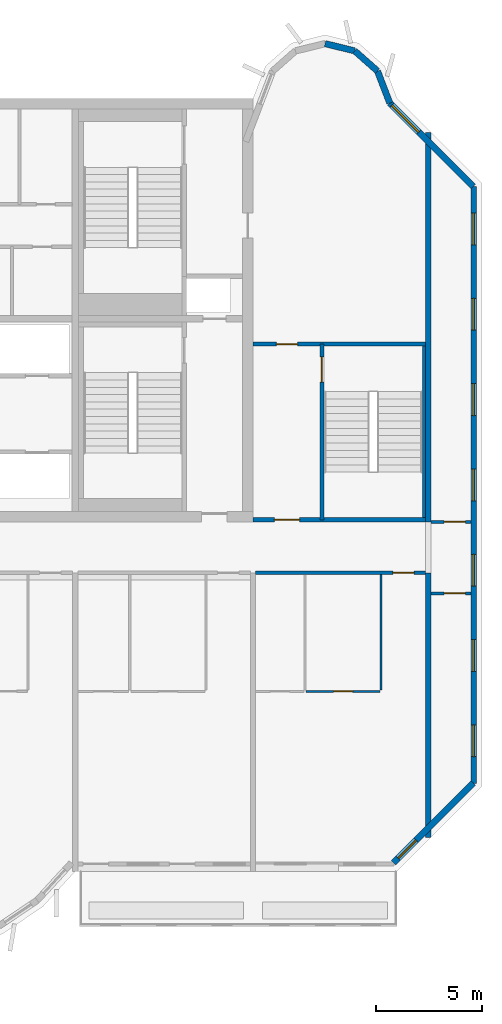
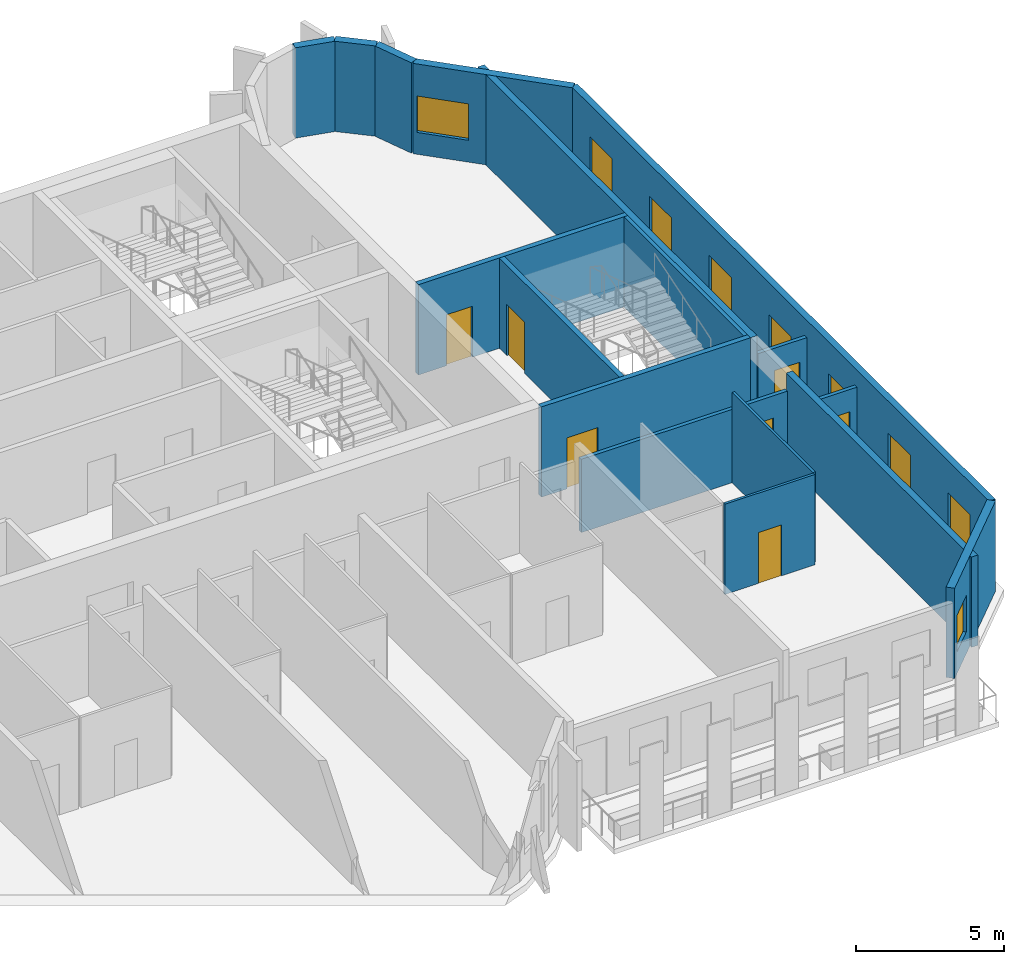
# One storey, part 8 of 12: 17 walls, 9 windows, 7 doors, 16 openings.
"""IFC4 building model written with IfcOpenShell, lengths in metres."""

import ifcopenshell
import ifcopenshell.guid

model = None  # the IFC model being written
_history = None  # IfcOwnerHistory: only IFC2X3 demands one
_inside = {}  # id of a spatial element -> (the spatial element, [elements in it])
_under = {}  # id of a project, library or spatial element -> (it, [spatial elements below it])
_declared = {}  # id of a project -> (the project, [libraries it declares])
_typed = {}  # id of a type object -> (the type object, [elements of that type])
_made_of = {}  # id of a material, layer set ... -> (it, [elements and type objects made of it])


def new_model(schema):
    """Start an empty IFC model of exactly this schema.

    Asked for "IFC4X3", IfcOpenShell would pick the latest addendum, in which some entities
    have other attributes; the version numbers below select the first issue.
    IFC2X3 requires an IfcOwnerHistory on every rooted entity: one is made here for all.
    """
    global model, _history
    if schema == "IFC4X3":
        model = ifcopenshell.file(schema_version=(4, 3, 0, 0))
    else:
        model = ifcopenshell.file(schema=schema)
    _inside.clear()
    _under.clear()
    _declared.clear()
    _typed.clear()
    _made_of.clear()
    _history = None
    if model.schema == "IFC2X3":
        org = make("IfcOrganization", Name="unknown")
        user = make(
            "IfcPersonAndOrganization",
            ThePerson=make("IfcPerson", FamilyName="unknown"),
            TheOrganization=org,
        )
        app = make(
            "IfcApplication",
            ApplicationDeveloper=org,
            Version="unknown",
            ApplicationFullName="unknown",
            ApplicationIdentifier="unknown",
        )
        _history = make(
            "IfcOwnerHistory",
            OwningUser=user,
            OwningApplication=app,
            ChangeAction="ADDED",
            CreationDate=0,
        )
    return model


def make(cls, **values):
    """One entity of the class cls with the attributes given. An attribute that is None is left unset."""
    return model.create_entity(
        cls, **{name: value for name, value in values.items() if value is not None}
    )


def rooted(cls, **values):
    """An entity with a GlobalId (a new one), such as an element, a storey or a relation."""
    return make(cls, GlobalId=ifcopenshell.guid.new(), OwnerHistory=_history, **values)


def si_unit(unit_type, name, prefix=None):
    """IfcSIUnit, for example si_unit("LENGTHUNIT", "METRE", prefix="MILLI")."""
    return make("IfcSIUnit", UnitType=unit_type, Prefix=prefix, Name=name)


def assignment(units):
    """IfcUnitAssignment: the units of a project."""
    return None if units is None else make("IfcUnitAssignment", Units=units)


def point(xyz):
    """IfcCartesianPoint."""
    return None if xyz is None else make("IfcCartesianPoint", Coordinates=xyz)


def direction(xyz):
    """IfcDirection."""
    return None if xyz is None else make("IfcDirection", DirectionRatios=xyz)


def frame(location, z_axis=None, x_axis=None):
    """IfcAxis2Placement3D, a coordinate frame: its origin and axes. An axis left out is left unset."""
    return make(
        "IfcAxis2Placement3D",
        Location=point(location),
        Axis=direction(z_axis),
        RefDirection=direction(x_axis),
    )


def frame_2d(location, x_axis=None):
    """IfcAxis2Placement2D, a coordinate frame in the plane: its origin and x axis."""
    return make(
        "IfcAxis2Placement2D", Location=point(location), RefDirection=direction(x_axis)
    )


def origin():
    """The frame at (0, 0, 0) with its axes left unset."""
    return frame((0.0, 0.0, 0.0))


def place(relative_to, where):
    """IfcLocalPlacement: puts the frame where relative to a parent placement (None: the world)."""
    return make(
        "IfcLocalPlacement", PlacementRelTo=relative_to, RelativePlacement=where
    )


def context(
    kind, dimensions, precision=None, world=None, true_north=None, identifier=None
):
    """IfcGeometricRepresentationContext, for example the 3D "Model" context."""
    return make(
        "IfcGeometricRepresentationContext",
        ContextIdentifier=identifier,
        ContextType=kind,
        CoordinateSpaceDimension=dimensions,
        Precision=precision,
        WorldCoordinateSystem=world,
        TrueNorth=true_north,
    )


def subcontext(parent, identifier, kind, view, scale=None):
    """IfcGeometricRepresentationSubContext, for example "Body" below "Model"."""
    return make(
        "IfcGeometricRepresentationSubContext",
        ContextIdentifier=identifier,
        ContextType=kind,
        ParentContext=parent,
        TargetScale=scale,
        TargetView=view,
    )


def project(units=None, contexts=None):
    """IfcProject with its units and contexts."""
    return rooted(
        "IfcProject",
        Name="project",
        RepresentationContexts=contexts,
        UnitsInContext=assignment(units),
    )


def spatial(cls, under=None, at=None, **own):
    """A site, building, storey or space (cls), placed at a placement, below another one or the project."""
    s = rooted(cls, ObjectPlacement=at, **own)
    if under is not None:
        _under.setdefault(under.id(), (under, []))[1].append(s)
    return s


def profile(cls, at=None, kind="AREA", **sizes):
    """A parametric profile (cls). Its sizes go by their IFC names, for example OverallWidth=200.0."""
    return make(cls, ProfileType=kind, Position=at, **sizes)


def rectangle(**sizes):
    """IfcRectangleProfileDef."""
    return profile("IfcRectangleProfileDef", **sizes)


def extrude(swept, where, along, depth):
    """IfcExtrudedAreaSolid: the profile swept, set in the frame where, extruded along a direction by depth."""
    return make(
        "IfcExtrudedAreaSolid",
        SweptArea=swept,
        Position=where,
        ExtrudedDirection=direction(along),
        Depth=depth,
    )


def shape(context_of_items, identifier, shape_type, items):
    """IfcShapeRepresentation: the items that make up one representation, for example the "Body"."""
    return make(
        "IfcShapeRepresentation",
        ContextOfItems=context_of_items,
        RepresentationIdentifier=identifier,
        RepresentationType=shape_type,
        Items=items,
    )


def source(mapping_origin, context_of_items, identifier, shape_type, items):
    """IfcRepresentationMap: a shape defined once, which mapped items show again and again."""
    return make(
        "IfcRepresentationMap",
        MappingOrigin=mapping_origin,
        MappedRepresentation=shape(context_of_items, identifier, shape_type, items),
    )


def transform(
    local_origin,
    x_axis=None,
    y_axis=None,
    z_axis=None,
    scale=None,
    scale2=None,
    scale3=None,
    uniform=True,
):
    """IfcCartesianTransformationOperator3D, or its non-uniform kind. x_axis, y_axis, z_axis: its Axis1, 2, 3."""
    if uniform:
        return make(
            "IfcCartesianTransformationOperator3D",
            Axis1=direction(x_axis),
            Axis2=direction(y_axis),
            LocalOrigin=point(local_origin),
            Scale=scale,
            Axis3=direction(z_axis),
        )
    return make(
        "IfcCartesianTransformationOperator3DnonUniform",
        Axis1=direction(x_axis),
        Axis2=direction(y_axis),
        LocalOrigin=point(local_origin),
        Scale=scale,
        Axis3=direction(z_axis),
        Scale2=scale2,
        Scale3=scale3,
    )


def mapped(mapping_source, mapping_target):
    """IfcMappedItem: shows the shape of a source again, moved by a transform."""
    return make(
        "IfcMappedItem", MappingSource=mapping_source, MappingTarget=mapping_target
    )


def material(Name=None, Category=None):
    """IfcMaterial."""
    return make("IfcMaterial", Name=Name, Category=Category)


def layer(
    of_material, thickness, ventilated=None, Name=None, Category=None, Priority=None
):
    """IfcMaterialLayer: one layer of a wall or slab, of a material (None: an air gap)."""
    return make(
        "IfcMaterialLayer",
        Material=of_material,
        LayerThickness=thickness,
        IsVentilated=ventilated,
        Name=Name,
        Category=Category,
        Priority=Priority,
    )


def layer_set(layers, Name=None):
    """IfcMaterialLayerSet."""
    return make("IfcMaterialLayerSet", MaterialLayers=layers, LayerSetName=Name)


def made_of(thing, what):
    """Note that an element or type object is made of a material, layer set ...; save() writes the relation."""
    if what is not None:
        _made_of.setdefault(what.id(), (what, []))[1].append(thing)
    return thing


def type_object(cls, material=None, **own):
    """A type object (cls), such as IfcWallType, which elements share."""
    return made_of(rooted(cls, **own), material)


def element(
    cls,
    number,
    at=None,
    inside=None,
    cuts=None,
    type_object=None,
    material=None,
    context=None,
    identifier="Body",
    shape_type=None,
    held_by="IfcProductDefinitionShape",
    body=None,
    shapes=None,
    **own,
):
    """One element of the class cls, such as IfcWall. Its Tag is "e" and its number.

    at: its placement. inside: the storey or other place that contains it. cuts: it is an
    opening in that element (IfcRelVoidsElement). A single representation is given by context,
    identifier, shape_type and body (its items); several are given by shapes. held_by: the class
    of the entity that holds the representations. save() writes the other relations.
    """
    e = rooted(cls, Tag="e%d" % number, ObjectPlacement=at, **own)
    if body is not None:
        shapes = [shape(context, identifier, shape_type, body)]
    if shapes is not None:
        e.Representation = make(held_by, Representations=shapes)
    if inside is not None:
        _inside.setdefault(inside.id(), (inside, []))[1].append(e)
    if cuts is not None:
        rooted(
            "IfcRelVoidsElement", RelatingBuildingElement=cuts, RelatedOpeningElement=e
        )
    if type_object is not None:
        _typed.setdefault(type_object.id(), (type_object, []))[1].append(e)
    return made_of(e, material)


def fill(opening, filler):
    """IfcRelFillsElement: the door or window that sits in an opening."""
    return rooted(
        "IfcRelFillsElement",
        RelatingOpeningElement=opening,
        RelatedBuildingElement=filler,
    )


def aggregate(whole, parts):
    """IfcRelAggregates: a whole, such as a stair, and the parts it consists of."""
    return rooted("IfcRelAggregates", RelatingObject=whole, RelatedObjects=parts)


def save(model, path):
    """Write the relations noted so far, then the file.

    IfcRelAggregates (storeys below a building ...), IfcRelContainedInSpatialStructure (elements
    in a storey), IfcRelDefinesByType, IfcRelAssociatesMaterial and IfcRelDeclares: one each for
    every whole, place, type object, material and project.
    """
    for whole, parts in _under.values():
        aggregate(whole, parts)
    for where, things in _inside.values():
        rooted(
            "IfcRelContainedInSpatialStructure",
            RelatedElements=things,
            RelatingStructure=where,
        )
    for kind, things in _typed.values():
        rooted("IfcRelDefinesByType", RelatedObjects=things, RelatingType=kind)
    for what, things in _made_of.values():
        rooted("IfcRelAssociatesMaterial", RelatedObjects=things, RelatingMaterial=what)
    for by, libraries in _declared.values():
        rooted("IfcRelDeclares", RelatingContext=by, RelatedDefinitions=libraries)
    model.write(path)


model = new_model("IFC4")

# Units and contexts
model_context = context("Model", 3, precision=1e-05, world=origin(), true_north=direction((0.0, 1.0)))
body_context = subcontext(model_context, "Body", "Model", "MODEL_VIEW")
ifc_project = project(units=[si_unit("LENGTHUNIT", "METRE"), si_unit("AREAUNIT", "SQUARE_METRE"), si_unit("VOLUMEUNIT", "CUBIC_METRE"), si_unit("PLANEANGLEUNIT", "RADIAN"), si_unit("MASSUNIT", "GRAM", prefix="KILO")], contexts=[model_context])

# Site, building, storey
site_placement = place(None, origin())
site = spatial("IfcSite", under=ifc_project, at=site_placement, CompositionType="ELEMENT")
building_placement = place(site_placement, origin())
building = spatial("IfcBuilding", under=site, at=building_placement, Name="Vanashikhar Sky Hotel", CompositionType="ELEMENT")
storey_placement = place(building_placement, frame((0.0, 0.0, 293.699951171875)))
storey = spatial("IfcBuildingStorey", under=building, at=storey_placement, Name="L70", CompositionType="ELEMENT", Elevation=293.699951171875)

# Walls
ifc_material_1 = material(Name="Concrete M50", Category="concrete")
ifc_layer_1 = layer(ifc_material_1, 0.25)
ifc_layer_set_1 = layer_set([ifc_layer_1], Name="RC shear wall 250 Concrete M50")
wall_type_1 = type_object("IfcWallType", Name="RC shear wall 250 Concrete M50", PredefinedType="SHEAR", material=ifc_layer_set_1)
shared_shape_1 = source(origin(), body_context, "Body", "SweptSolid", [
    extrude(rectangle(XDim=12.5, YDim=0.25, at=frame_2d((6.25, 0.0))), origin(), (0.0, 0.0, 1.0), 3.719970703125),
])
wall_1_placement = place(storey_placement, frame((83.875, 7.10009765625, 0.0), z_axis=(0.0, 0.0, 1.0), x_axis=(0.0, 1.0, 0.0)))
element("IfcWall", 1, at=wall_1_placement, inside=storey, type_object=wall_type_1, Name="CW-L70-XW11-1", PredefinedType="SHEAR", context=body_context, shape_type="MappedRepresentation", body=[
    mapped(shared_shape_1, transform((0.0, 0.0, 0.0), scale=1.0)),
])
shared_shape_2 = source(origin(), body_context, "Body", "SweptSolid", [
    extrude(rectangle(XDim=18.39990234375, YDim=0.25, at=frame_2d((9.199951171875, 0.0))), origin(), (0.0, 0.0, 1.0), 3.719970703125),
])
wall_2_placement = place(storey_placement, frame((83.875, 22.0, 0.0), z_axis=(0.0, 0.0, 1.0), x_axis=(0.0, 1.0, 0.0)))
element("IfcWall", 2, at=wall_2_placement, inside=storey, type_object=wall_type_1, Name="CW-L70-XW11-2", PredefinedType="SHEAR", context=body_context, shape_type="MappedRepresentation", body=[
    mapped(shared_shape_2, transform((0.0, 0.0, 0.0), scale=1.0)),
])

# Wall, opening, window
ifc_layer_2 = layer(ifc_material_1, 0.300048828125)
ifc_layer_set_2 = layer_set([ifc_layer_2], Name="Lobe wall 300")
wall_type_2 = type_object("IfcWallType", Name="Lobe wall 300", PredefinedType="SOLIDWALL", material=ifc_layer_set_2)
shared_shape_3 = source(origin(), body_context, "Body", "SweptSolid", [
    extrude(rectangle(XDim=5.32568359375, YDim=0.300048828125, at=frame_2d((2.662841796875, 0.0))), origin(), (0.0, 0.0, 1.0), 3.719970703125),
])
wall_3_placement = place(storey_placement, frame((82.234375, 5.89990234375, 0.0), z_axis=(0.0, 0.0, 1.0), x_axis=(0.707083859269, 0.707129702361, 0.0)))
wall_3 = element("IfcWall", 3, at=wall_3_placement, inside=storey, type_object=wall_type_2, Name="Corner wall", PredefinedType="SOLIDWALL", context=body_context, shape_type="MappedRepresentation", body=[
    mapped(shared_shape_3, transform((0.0, 0.0, 0.0), scale=1.0)),
])
shared_shape_4 = source(origin(), body_context, "Body", "SweptSolid", [
    extrude(rectangle(XDim=1.199951171875, YDim=1.5, at=frame_2d((0.60009765625, 0.75))), frame((0.0, 0.16015625, 0.0), z_axis=(0.0, -1.0, 0.0), x_axis=(1.0, 0.0, 0.0)), (0.0, 0.0, 1.0), 0.320068359375),
])
opening_1_placement = place(wall_3_placement, frame((0.31005859375, 0.0, 0.89990234375)))
opening_1 = element("IfcOpeningElement", 4, at=opening_1_placement, cuts=wall_3, Name="Opening WN-3", PredefinedType="OPENING", context=body_context, shape_type="MappedRepresentation", body=[
    mapped(shared_shape_4, transform((0.0, 0.0, 0.0), scale=1.0)),
])
ifc_material_2 = material(Name="Glass", Category="glass")
window_type_1 = type_object("IfcWindowType", Name="Corridor end window 1200 x 1500", PartitioningType="SINGLE_PANEL", PredefinedType="WINDOW", material=ifc_material_2)
shared_shape_5 = source(origin(), body_context, "Body", "SweptSolid", [
    extrude(rectangle(XDim=1.199951171875, YDim=1.5, at=frame_2d((0.60009765625, 0.75))), frame((0.0, 0.030029296875, 0.0), z_axis=(0.0, -1.0, 0.0), x_axis=(1.0, 0.0, 0.0)), (0.0, 0.0, 1.0), 0.06005859375),
])
window_1_placement = place(opening_1_placement, origin())
window_1 = element("IfcWindow", 5, at=window_1_placement, inside=storey, type_object=window_type_1, Name="Window WN-3", OverallHeight=1.5, OverallWidth=1.199951171875, PartitioningType="SINGLE_PANEL", PredefinedType="WINDOW", context=body_context, shape_type="MappedRepresentation", body=[
    mapped(shared_shape_5, transform((0.0, 0.0, 0.0), scale=1.0)),
])
fill(opening_1, window_1)

shared_shape_6 = source(origin(), body_context, "Body", "SweptSolid", [
    extrude(rectangle(XDim=5.576416015625, YDim=0.300048828125, at=frame_2d((2.7880859375, 0.0))), origin(), (0.0, 0.0, 1.0), 3.719970703125),
])
wall_4_placement = place(storey_placement, frame((86.0, 37.834228515625, 0.0), z_axis=(0.0, 0.0, 1.0), x_axis=(-0.707106781187, 0.707106781187, 0.0)))
wall_4 = element("IfcWall", 6, at=wall_4_placement, inside=storey, type_object=wall_type_2, Name="Corner wall", PredefinedType="SOLIDWALL", context=body_context, shape_type="MappedRepresentation", body=[
    mapped(shared_shape_6, transform((0.0, 0.0, 0.0), scale=1.0)),
])
shared_shape_7 = source(origin(), body_context, "Body", "SweptSolid", [
    extrude(rectangle(XDim=1.800048828125, YDim=1.5, at=frame_2d((0.89990234375, 0.75))), frame((0.0, 0.16015625, 0.0), z_axis=(0.0, -1.0, 0.0), x_axis=(1.0, 0.0, 0.0)), (0.0, 0.0, 1.0), 0.320068359375),
])
opening_2_placement = place(wall_4_placement, frame((3.640869140625, 0.0, 0.89990234375)))
opening_2 = element("IfcOpeningElement", 7, at=opening_2_placement, cuts=wall_4, Name="Opening WN-4", PredefinedType="OPENING", context=body_context, shape_type="MappedRepresentation", body=[
    mapped(shared_shape_7, transform((0.0, 0.0, 0.0), scale=1.0)),
])
window_type_2 = type_object("IfcWindowType", Name="Corner window 1800 x 1500", PartitioningType="SINGLE_PANEL", PredefinedType="WINDOW", material=ifc_material_2)
shared_shape_8 = source(origin(), body_context, "Body", "SweptSolid", [
    extrude(rectangle(XDim=1.800048828125, YDim=1.5, at=frame_2d((0.89990234375, 0.75))), frame((0.0, 0.030029296875, 0.0), z_axis=(0.0, -1.0, 0.0), x_axis=(1.0, 0.0, 0.0)), (0.0, 0.0, 1.0), 0.06005859375),
])
window_2_placement = place(opening_2_placement, origin())
window_2 = element("IfcWindow", 8, at=window_2_placement, inside=storey, type_object=window_type_2, Name="Window WN-4", OverallHeight=1.5, OverallWidth=1.800048828125, PartitioningType="SINGLE_PANEL", PredefinedType="WINDOW", context=body_context, shape_type="MappedRepresentation", body=[
    mapped(shared_shape_8, transform((0.0, 0.0, 0.0), scale=1.0)),
])
fill(opening_2, window_2)

# Walls
shared_shape_9 = source(origin(), body_context, "Body", "SweptSolid", [
    extrude(rectangle(XDim=1.6220703125, YDim=0.300048828125, at=frame_2d((0.81103515625, 0.0))), origin(), (0.0, 0.0, 1.0), 3.719970703125),
])
wall_5_placement = place(storey_placement, frame((82.056884765625, 41.77734375, 0.0), z_axis=(0.0, 0.0, 1.0), x_axis=(-0.357778527068, 0.933806471154, 0.0)))
element("IfcWall", 9, at=wall_5_placement, inside=storey, type_object=wall_type_2, Name="Lobe wall", PredefinedType="SOLIDWALL", context=body_context, shape_type="MappedRepresentation", body=[
    mapped(shared_shape_9, transform((0.0, 0.0, 0.0), scale=1.0)),
])
shared_shape_10 = source(origin(), body_context, "Body", "SweptSolid", [
    extrude(rectangle(XDim=1.43994140625, YDim=0.300048828125, at=frame_2d((0.719970703125, 0.0))), origin(), (0.0, 0.0, 1.0), 3.719970703125),
])
wall_6_placement = place(storey_placement, frame((81.4765625, 43.2919921875, 0.0), z_axis=(0.0, 0.0, 1.0), x_axis=(-0.74957555648, 0.661918790432, 0.0)))
element("IfcWall", 10, at=wall_6_placement, inside=storey, type_object=wall_type_2, Name="Lobe wall", PredefinedType="SOLIDWALL", context=body_context, shape_type="MappedRepresentation", body=[
    mapped(shared_shape_10, transform((0.0, 0.0, 0.0), scale=1.0)),
])
shared_shape_11 = source(origin(), body_context, "Body", "SweptSolid", [
    extrude(rectangle(XDim=1.438720703125, YDim=0.300048828125, at=frame_2d((0.71923828125, 0.0))), origin(), (0.0, 0.0, 1.0), 3.719970703125),
])
wall_7_placement = place(storey_placement, frame((80.397216796875, 44.2451171875, 0.0), z_axis=(0.0, 0.0, 1.0), x_axis=(-0.971161932466, 0.238420848351, 0.0)))
element("IfcWall", 11, at=wall_7_placement, inside=storey, type_object=wall_type_2, Name="Lobe wall", PredefinedType="SOLIDWALL", context=body_context, shape_type="MappedRepresentation", body=[
    mapped(shared_shape_11, transform((0.0, 0.0, 0.0), scale=1.0)),
])

# Wall, openings, windows
ifc_layer_3 = layer(ifc_material_1, 0.25)
ifc_layer_set_3 = layer_set([ifc_layer_3], Name="Rear and end board-marked wall 250")
wall_type_3 = type_object("IfcWallType", Name="Rear and end board-marked wall 250", PredefinedType="SOLIDWALL", material=ifc_layer_set_3)
shared_shape_12 = source(origin(), body_context, "Body", "SweptSolid", [
    extrude(rectangle(XDim=28.189453125, YDim=0.25, at=frame_2d((14.0947265625, 0.0))), origin(), (0.0, 0.0, 1.0), 3.719970703125),
])
wall_8_placement = place(storey_placement, frame((86.02490234375, 9.6552734375, 0.0), z_axis=(0.0, 0.0, 1.0), x_axis=(0.0, 1.0, 0.0)))
wall_8 = element("IfcWall", 12, at=wall_8_placement, inside=storey, type_object=wall_type_3, Name="End board-marked wall", PredefinedType="SOLIDWALL", context=body_context, shape_type="MappedRepresentation", body=[
    mapped(shared_shape_12, transform((0.0, 0.0, 0.0), scale=1.0)),
])
shared_shape_13 = source(origin(), body_context, "Body", "SweptSolid", [
    extrude(rectangle(XDim=1.5, YDim=1.5, at=frame_2d((0.75, 0.75))), frame((0.0, 0.135009765625, 0.0), z_axis=(0.0, -1.0, 0.0), x_axis=(1.0, 0.0, 0.0)), (0.0, 0.0, 1.0), 0.27001953125),
])
opening_3_placement = place(wall_8_placement, frame((1.263427734375, 0.0, 0.89990234375)))
opening_3 = element("IfcOpeningElement", 13, at=opening_3_placement, cuts=wall_8, Name="Opening WN-1", PredefinedType="OPENING", context=body_context, shape_type="MappedRepresentation", body=[
    mapped(shared_shape_13, transform((0.0, 0.0, 0.0), scale=1.0)),
])
opening_4_placement = place(wall_8_placement, frame((5.29052734375, 0.0, 0.89990234375)))
opening_4 = element("IfcOpeningElement", 14, at=opening_4_placement, cuts=wall_8, Name="Opening WN-1", PredefinedType="OPENING", context=body_context, shape_type="MappedRepresentation", body=[
    mapped(shared_shape_13, transform((0.0, 0.0, 0.0), scale=1.0)),
])
opening_5_placement = place(wall_8_placement, frame((9.317626953125, 0.0, 0.89990234375)))
opening_5 = element("IfcOpeningElement", 15, at=opening_5_placement, cuts=wall_8, Name="Opening WN-1", PredefinedType="OPENING", context=body_context, shape_type="MappedRepresentation", body=[
    mapped(shared_shape_13, transform((0.0, 0.0, 0.0), scale=1.0)),
])
opening_6_placement = place(wall_8_placement, frame((13.3447265625, 0.0, 0.89990234375)))
opening_6 = element("IfcOpeningElement", 16, at=opening_6_placement, cuts=wall_8, Name="Opening WN-1", PredefinedType="OPENING", context=body_context, shape_type="MappedRepresentation", body=[
    mapped(shared_shape_13, transform((0.0, 0.0, 0.0), scale=1.0)),
])
opening_7_placement = place(wall_8_placement, frame((17.371826171875, 0.0, 0.89990234375)))
opening_7 = element("IfcOpeningElement", 17, at=opening_7_placement, cuts=wall_8, Name="Opening WN-1", PredefinedType="OPENING", context=body_context, shape_type="MappedRepresentation", body=[
    mapped(shared_shape_13, transform((0.0, 0.0, 0.0), scale=1.0)),
])
opening_8_placement = place(wall_8_placement, frame((21.398681640625, 0.0, 0.89990234375)))
opening_8 = element("IfcOpeningElement", 18, at=opening_8_placement, cuts=wall_8, Name="Opening WN-1", PredefinedType="OPENING", context=body_context, shape_type="MappedRepresentation", body=[
    mapped(shared_shape_13, transform((0.0, 0.0, 0.0), scale=1.0)),
])
opening_9_placement = place(wall_8_placement, frame((25.42578125, 0.0, 0.89990234375)))
opening_9 = element("IfcOpeningElement", 19, at=opening_9_placement, cuts=wall_8, Name="Opening WN-1", PredefinedType="OPENING", context=body_context, shape_type="MappedRepresentation", body=[
    mapped(shared_shape_13, transform((0.0, 0.0, 0.0), scale=1.0)),
])
window_type_3 = type_object("IfcWindowType", Name="Window 1500 x 1500", PartitioningType="SINGLE_PANEL", PredefinedType="WINDOW", material=ifc_material_2)
shared_shape_14 = source(origin(), body_context, "Body", "SweptSolid", [
    extrude(rectangle(XDim=1.5, YDim=1.5, at=frame_2d((0.75, 0.75))), frame((0.0, 0.030029296875, 0.0), z_axis=(0.0, -1.0, 0.0), x_axis=(1.0, 0.0, 0.0)), (0.0, 0.0, 1.0), 0.06005859375),
])
window_3_placement = place(opening_3_placement, origin())
window_3 = element("IfcWindow", 20, at=window_3_placement, inside=storey, type_object=window_type_3, Name="Window WN-1", OverallHeight=1.5, OverallWidth=1.5, PartitioningType="SINGLE_PANEL", PredefinedType="WINDOW", context=body_context, shape_type="MappedRepresentation", body=[
    mapped(shared_shape_14, transform((0.0, 0.0, 0.0), scale=1.0)),
])
fill(opening_3, window_3)
window_4_placement = place(opening_4_placement, origin())
window_4 = element("IfcWindow", 21, at=window_4_placement, inside=storey, type_object=window_type_3, Name="Window WN-1", OverallHeight=1.5, OverallWidth=1.5, PartitioningType="SINGLE_PANEL", PredefinedType="WINDOW", context=body_context, shape_type="MappedRepresentation", body=[
    mapped(shared_shape_14, transform((0.0, 0.0, 0.0), scale=1.0)),
])
fill(opening_4, window_4)
window_5_placement = place(opening_5_placement, origin())
window_5 = element("IfcWindow", 22, at=window_5_placement, inside=storey, type_object=window_type_3, Name="Window WN-1", OverallHeight=1.5, OverallWidth=1.5, PartitioningType="SINGLE_PANEL", PredefinedType="WINDOW", context=body_context, shape_type="MappedRepresentation", body=[
    mapped(shared_shape_14, transform((0.0, 0.0, 0.0), scale=1.0)),
])
fill(opening_5, window_5)
window_6_placement = place(opening_6_placement, origin())
window_6 = element("IfcWindow", 23, at=window_6_placement, inside=storey, type_object=window_type_3, Name="Window WN-1", OverallHeight=1.5, OverallWidth=1.5, PartitioningType="SINGLE_PANEL", PredefinedType="WINDOW", context=body_context, shape_type="MappedRepresentation", body=[
    mapped(shared_shape_14, transform((0.0, 0.0, 0.0), scale=1.0)),
])
fill(opening_6, window_6)
window_7_placement = place(opening_7_placement, origin())
window_7 = element("IfcWindow", 24, at=window_7_placement, inside=storey, type_object=window_type_3, Name="Window WN-1", OverallHeight=1.5, OverallWidth=1.5, PartitioningType="SINGLE_PANEL", PredefinedType="WINDOW", context=body_context, shape_type="MappedRepresentation", body=[
    mapped(shared_shape_14, transform((0.0, 0.0, 0.0), scale=1.0)),
])
fill(opening_7, window_7)
window_8_placement = place(opening_8_placement, origin())
window_8 = element("IfcWindow", 25, at=window_8_placement, inside=storey, type_object=window_type_3, Name="Window WN-1", OverallHeight=1.5, OverallWidth=1.5, PartitioningType="SINGLE_PANEL", PredefinedType="WINDOW", context=body_context, shape_type="MappedRepresentation", body=[
    mapped(shared_shape_14, transform((0.0, 0.0, 0.0), scale=1.0)),
])
fill(opening_8, window_8)
window_9_placement = place(opening_9_placement, origin())
window_9 = element("IfcWindow", 26, at=window_9_placement, inside=storey, type_object=window_type_3, Name="Window WN-1", OverallHeight=1.5, OverallWidth=1.5, PartitioningType="SINGLE_PANEL", PredefinedType="WINDOW", context=body_context, shape_type="MappedRepresentation", body=[
    mapped(shared_shape_14, transform((0.0, 0.0, 0.0), scale=1.0)),
])
fill(opening_9, window_9)

# Wall, opening, door
ifc_layer_4 = layer(ifc_material_1, 0.199951171875)
ifc_layer_set_4 = layer_set([ifc_layer_4], Name="Stair wall 200")
wall_type_4 = type_object("IfcWallType", Name="Stair wall 200", PredefinedType="SOLIDWALL", material=ifc_layer_set_4)
shared_shape_15 = source(origin(), body_context, "Body", "SweptSolid", [
    extrude(rectangle(XDim=8.2998046875, YDim=0.199951171875, at=frame_2d((4.14990234375, 0.0))), origin(), (0.0, 0.0, 1.0), 3.719970703125),
])
wall_9_placement = place(storey_placement, frame((78.85009765625, 22.10009765625, 0.0), z_axis=(0.0, 0.0, 1.0), x_axis=(0.0, 1.0, 0.0)))
wall_9 = element("IfcWall", 27, at=wall_9_placement, inside=storey, type_object=wall_type_4, Name="Stair wall 200", PredefinedType="SOLIDWALL", context=body_context, shape_type="MappedRepresentation", body=[
    mapped(shared_shape_15, transform((0.0, 0.0, 0.0), scale=1.0)),
])
shared_shape_16 = source(origin(), body_context, "Body", "SweptSolid", [
    extrude(rectangle(XDim=1.199951171875, YDim=2.10009765625, at=frame_2d((0.60009765625, 1.050048828125))), frame((0.0, 0.10986328125, 0.0), z_axis=(0.0, -1.0, 0.0), x_axis=(1.0, 0.0, 0.0)), (0.0, 0.0, 1.0), 0.219970703125),
])
opening_10_placement = place(wall_9_placement, frame((6.5, 0.0, 0.0)))
opening_10 = element("IfcOpeningElement", 28, at=opening_10_placement, cuts=wall_9, Name="Opening DC-1", PredefinedType="OPENING", context=body_context, shape_type="MappedRepresentation", body=[
    mapped(shared_shape_16, transform((0.0, 0.0, 0.0), scale=1.0)),
])
ifc_material_3 = material(Name="Steel", Category="steel")
door_type_1 = type_object("IfcDoorType", Name="Stair door 1200 FD120", OperationType="NOTDEFINED", PredefinedType="DOOR", material=ifc_material_3)
shared_shape_17 = source(origin(), body_context, "Body", "SweptSolid", [
    extrude(rectangle(XDim=1.199951171875, YDim=2.10009765625, at=frame_2d((0.60009765625, 1.050048828125))), frame((0.0, 0.02490234375, 0.0), z_axis=(0.0, -1.0, 0.0), x_axis=(1.0, 0.0, 0.0)), (0.0, 0.0, 1.0), 0.050048828125),
])
door_1_placement = place(opening_10_placement, origin())
door_1 = element("IfcDoor", 29, at=door_1_placement, inside=storey, type_object=door_type_1, Name="Stair door 1200 FD120", OperationType="SINGLE_SWING_LEFT", OverallHeight=2.10009765625, OverallWidth=1.199951171875, PredefinedType="DOOR", context=body_context, shape_type="MappedRepresentation", body=[
    mapped(shared_shape_17, transform((0.0, 0.0, 0.0), scale=1.0)),
])
fill(opening_10, door_1)

shared_shape_18 = source(origin(), body_context, "Body", "SweptSolid", [
    extrude(rectangle(XDim=8.14990234375, YDim=0.199951171875, at=frame_2d((4.074951171875, 0.0))), origin(), (0.0, 0.0, 1.0), 3.719970703125),
])
wall_10_placement = place(storey_placement, frame((83.75, 22.10009765625, 0.0), z_axis=(0.0, 0.0, 1.0), x_axis=(-1.0, 0.0, 0.0)))
wall_10 = element("IfcWall", 30, at=wall_10_placement, inside=storey, type_object=wall_type_4, Name="Stair wall 200", PredefinedType="SOLIDWALL", context=body_context, shape_type="MappedRepresentation", body=[
    mapped(shared_shape_18, transform((0.0, 0.0, 0.0), scale=1.0)),
])
opening_11_placement = place(wall_10_placement, frame((5.949951171875, 0.0, 0.0)))
opening_11 = element("IfcOpeningElement", 31, at=opening_11_placement, cuts=wall_10, Name="Opening DC-2", PredefinedType="OPENING", context=body_context, shape_type="MappedRepresentation", body=[
    mapped(shared_shape_16, transform((0.0, 0.0, 0.0), scale=1.0)),
])
door_type_2 = type_object("IfcDoorType", Name="Firefighting lobby door 1200 FD120", OperationType="NOTDEFINED", PredefinedType="DOOR", material=ifc_material_3)
door_2_placement = place(opening_11_placement, origin())
door_2 = element("IfcDoor", 32, at=door_2_placement, inside=storey, type_object=door_type_2, Name="Firefighting lobby door 1200 FD120", OperationType="SINGLE_SWING_LEFT", OverallHeight=2.10009765625, OverallWidth=1.199951171875, PredefinedType="DOOR", context=body_context, shape_type="MappedRepresentation", body=[
    mapped(shared_shape_17, transform((0.0, 0.0, 0.0), scale=1.0)),
])
fill(opening_11, door_2)

wall_11_placement = place(storey_placement, frame((83.75, 30.39990234375, 0.0), z_axis=(0.0, 0.0, 1.0), x_axis=(-1.0, 0.0, 0.0)))
wall_11 = element("IfcWall", 33, at=wall_11_placement, inside=storey, type_object=wall_type_4, Name="Stair wall 200", PredefinedType="SOLIDWALL", context=body_context, shape_type="MappedRepresentation", body=[
    mapped(shared_shape_18, transform((0.0, 0.0, 0.0), scale=1.0)),
])
shared_shape_19 = source(origin(), body_context, "Body", "SweptSolid", [
    extrude(rectangle(XDim=1.0, YDim=2.10009765625, at=frame_2d((0.5, 1.050048828125))), frame((0.0, 0.10986328125, 0.0), z_axis=(0.0, -1.0, 0.0), x_axis=(1.0, 0.0, 0.0)), (0.0, 0.0, 1.0), 0.219970703125),
])
opening_12_placement = place(wall_11_placement, frame((6.050048828125, 0.0, 0.0)))
opening_12 = element("IfcOpeningElement", 34, at=opening_12_placement, cuts=wall_11, Name="Opening DC-6", PredefinedType="OPENING", context=body_context, shape_type="MappedRepresentation", body=[
    mapped(shared_shape_19, transform((0.0, 0.0, 0.0), scale=1.0)),
])
door_type_3 = type_object("IfcDoorType", Name="Pocket door 1000 FD60", OperationType="NOTDEFINED", PredefinedType="DOOR", material=ifc_material_3)
shared_shape_20 = source(origin(), body_context, "Body", "SweptSolid", [
    extrude(rectangle(XDim=1.0, YDim=2.10009765625, at=frame_2d((0.5, 1.050048828125))), frame((0.0, 0.02490234375, 0.0), z_axis=(0.0, -1.0, 0.0), x_axis=(1.0, 0.0, 0.0)), (0.0, 0.0, 1.0), 0.050048828125),
])
door_3_placement = place(opening_12_placement, origin())
door_3 = element("IfcDoor", 35, at=door_3_placement, inside=storey, type_object=door_type_3, Name="Pocket door 1000 FD60", OperationType="SINGLE_SWING_LEFT", OverallHeight=2.10009765625, OverallWidth=1.0, PredefinedType="DOOR", context=body_context, shape_type="MappedRepresentation", body=[
    mapped(shared_shape_20, transform((0.0, 0.0, 0.0), scale=1.0)),
])
fill(opening_12, door_3)

# Wall
ifc_layer_5 = layer(ifc_material_1, 0.14990234375)
ifc_layer_set_5 = layer_set([ifc_layer_5], Name="Stair infill wall 150")
wall_type_5 = type_object("IfcWallType", Name="Stair infill wall 150", PredefinedType="SOLIDWALL", material=ifc_layer_set_5)
shared_shape_21 = source(origin(), body_context, "Body", "SweptSolid", [
    extrude(rectangle(XDim=8.10009765625, YDim=0.14990234375, at=frame_2d((4.050048828125, 0.0))), origin(), (0.0, 0.0, 1.0), 3.719970703125),
])
wall_12_placement = place(storey_placement, frame((83.675048828125, 22.199951171875, 0.0), z_axis=(0.0, 0.0, 1.0), x_axis=(0.0, 1.0, 0.0)))
element("IfcWall", 36, at=wall_12_placement, inside=storey, type_object=wall_type_5, Name="Stair infill wall 150", PredefinedType="SOLIDWALL", context=body_context, shape_type="MappedRepresentation", body=[
    mapped(shared_shape_21, transform((0.0, 0.0, 0.0), scale=1.0)),
])

# Wall, opening, door
ifc_material_4 = material(Name="Gypsum plasterboard partition")
ifc_layer_6 = layer(ifc_material_4, 0.10009765625)
ifc_layer_set_6 = layer_set([ifc_layer_6], Name="Wet room partition 100")
wall_type_6 = type_object("IfcWallType", Name="Wet room partition 100", PredefinedType="PARTITIONING", material=ifc_layer_set_6)
shared_shape_22 = source(origin(), body_context, "Body", "SweptSolid", [
    extrude(rectangle(XDim=3.5, YDim=0.10009765625, at=frame_2d((1.75, 0.0))), origin(), (0.0, 0.0, 1.0), 3.719970703125),
])
wall_13_placement = place(storey_placement, frame((78.10009765625, 14.0, 0.0), z_axis=(0.0, 0.0, 1.0), x_axis=(1.0, 0.0, 0.0)))
wall_13 = element("IfcWall", 37, at=wall_13_placement, inside=storey, type_object=wall_type_6, Name="W-L70-PW044", PredefinedType="PARTITIONING", context=body_context, shape_type="MappedRepresentation", body=[
    mapped(shared_shape_22, transform((0.0, 0.0, 0.0), scale=1.0)),
])
shared_shape_23 = source(origin(), body_context, "Body", "SweptSolid", [
    extrude(rectangle(XDim=0.89990234375, YDim=2.10009765625, at=frame_2d((0.449951171875, 1.050048828125))), frame((0.0, 0.06005859375, 0.0), z_axis=(0.0, -1.0, 0.0), x_axis=(1.0, 0.0, 0.0)), (0.0, 0.0, 1.0), 0.1201171875),
])
opening_13_placement = place(wall_13_placement, frame((1.300048828125, 0.0, 0.0)))
opening_13 = element("IfcOpeningElement", 38, at=opening_13_placement, cuts=wall_13, Name="Opening D-02", PredefinedType="OPENING", context=body_context, shape_type="MappedRepresentation", body=[
    mapped(shared_shape_23, transform((0.0, 0.0, 0.0), scale=1.0)),
])
ifc_material_5 = material(Name="Timber door", Category="wood")
door_type_4 = type_object("IfcDoorType", Name="Internal door 900", OperationType="NOTDEFINED", PredefinedType="DOOR", material=ifc_material_5)
shared_shape_24 = source(origin(), body_context, "Body", "SweptSolid", [
    extrude(rectangle(XDim=0.89990234375, YDim=2.10009765625, at=frame_2d((0.449951171875, 1.050048828125))), frame((0.0, 0.02490234375, 0.0), z_axis=(0.0, -1.0, 0.0), x_axis=(1.0, 0.0, 0.0)), (0.0, 0.0, 1.0), 0.050048828125),
])
door_4_placement = place(opening_13_placement, origin())
door_4 = element("IfcDoor", 39, at=door_4_placement, inside=storey, type_object=door_type_4, Name="D-L70-025", OperationType="SINGLE_SWING_RIGHT", OverallHeight=2.10009765625, OverallWidth=0.89990234375, PredefinedType="DOOR", context=body_context, shape_type="MappedRepresentation", body=[
    mapped(shared_shape_24, transform((0.0, 0.0, 0.0), scale=1.0)),
])
fill(opening_13, door_4)

ifc_layer_7 = layer(ifc_material_4, 0.14990234375)
ifc_layer_set_7 = layer_set([ifc_layer_7], Name="Corridor and demising partition 150")
wall_type_7 = type_object("IfcWallType", Name="Corridor and demising partition 150", PredefinedType="PARTITIONING", material=ifc_layer_set_7)
shared_shape_25 = source(origin(), body_context, "Body", "SweptSolid", [
    extrude(rectangle(XDim=8.02490234375, YDim=0.14990234375, at=frame_2d((4.012451171875, 0.0))), origin(), (0.0, 0.0, 1.0), 3.02001953125),
])
wall_14_placement = place(storey_placement, frame((75.72509765625, 19.60009765625, 0.0), z_axis=(0.0, 0.0, 1.0), x_axis=(1.0, 0.0, 0.0)))
wall_14 = element("IfcWall", 40, at=wall_14_placement, inside=storey, type_object=wall_type_7, Name="W-L70-PW046", PredefinedType="PARTITIONING", context=body_context, shape_type="MappedRepresentation", body=[
    mapped(shared_shape_25, transform((0.0, 0.0, 0.0), scale=1.0)),
])
shared_shape_26 = source(origin(), body_context, "Body", "SweptSolid", [
    extrude(rectangle(XDim=1.0, YDim=2.10009765625, at=frame_2d((0.5, 1.050048828125))), frame((0.0, 0.0849609375, 0.0), z_axis=(0.0, -1.0, 0.0), x_axis=(1.0, 0.0, 0.0)), (0.0, 0.0, 1.0), 0.169921875),
])
opening_14_placement = place(wall_14_placement, frame((6.47509765625, 0.0, 0.0)))
opening_14 = element("IfcOpeningElement", 41, at=opening_14_placement, cuts=wall_14, Name="Opening D-01", PredefinedType="OPENING", context=body_context, shape_type="MappedRepresentation", body=[
    mapped(shared_shape_26, transform((0.0, 0.0, 0.0), scale=1.0)),
])
ifc_material_6 = material(Name="Timber fire door", Category="wood")
door_type_5 = type_object("IfcDoorType", Name="Guest entry door 1000 FD30S", OperationType="NOTDEFINED", PredefinedType="DOOR", material=ifc_material_6)
door_5_placement = place(opening_14_placement, origin())
door_5 = element("IfcDoor", 42, at=door_5_placement, inside=storey, type_object=door_type_5, Name="D-L70-027", OperationType="SINGLE_SWING_RIGHT", OverallHeight=2.10009765625, OverallWidth=1.0, PredefinedType="DOOR", context=body_context, shape_type="MappedRepresentation", body=[
    mapped(shared_shape_20, transform((0.0, 0.0, 0.0), scale=1.0)),
])
fill(opening_14, door_5)

shared_shape_27 = source(origin(), body_context, "Body", "SweptSolid", [
    extrude(rectangle(XDim=1.89990234375, YDim=0.14990234375, at=frame_2d((0.949951171875, 0.0))), origin(), (0.0, 0.0, 1.0), 3.02001953125),
])
wall_15_placement = place(storey_placement, frame((84.0, 22.0, 0.0), z_axis=(0.0, 0.0, 1.0), x_axis=(1.0, 0.0, 0.0)))
wall_15 = element("IfcWall", 43, at=wall_15_placement, inside=storey, type_object=wall_type_7, Name="W-L70-PW050", PredefinedType="PARTITIONING", context=body_context, shape_type="MappedRepresentation", body=[
    mapped(shared_shape_27, transform((0.0, 0.0, 0.0), scale=1.0)),
])
opening_15_placement = place(wall_15_placement, frame((0.625, 0.0, 0.0)))
opening_15 = element("IfcOpeningElement", 44, at=opening_15_placement, cuts=wall_15, Name="Opening D-01", PredefinedType="OPENING", context=body_context, shape_type="MappedRepresentation", body=[
    mapped(shared_shape_26, transform((0.0, 0.0, 0.0), scale=1.0)),
])
door_6_placement = place(opening_15_placement, origin())
door_6 = element("IfcDoor", 45, at=door_6_placement, inside=storey, type_object=door_type_5, Name="D-L70-029", OperationType="SINGLE_SWING_RIGHT", OverallHeight=2.10009765625, OverallWidth=1.0, PredefinedType="DOOR", context=body_context, shape_type="MappedRepresentation", body=[
    mapped(shared_shape_20, transform((0.0, 0.0, 0.0), scale=1.0)),
])
fill(opening_15, door_6)

wall_16_placement = place(storey_placement, frame((84.0, 18.6279296875, 0.0), z_axis=(0.0, 0.0, 1.0), x_axis=(1.0, 0.0, 0.0)))
wall_16 = element("IfcWall", 46, at=wall_16_placement, inside=storey, type_object=wall_type_7, Name="W-L70-PW052", PredefinedType="PARTITIONING", context=body_context, shape_type="MappedRepresentation", body=[
    mapped(shared_shape_27, transform((0.0, 0.0, 0.0), scale=1.0)),
])
opening_16_placement = place(wall_16_placement, frame((0.625, 0.0, 0.0)))
opening_16 = element("IfcOpeningElement", 47, at=opening_16_placement, cuts=wall_16, Name="Opening D-01", PredefinedType="OPENING", context=body_context, shape_type="MappedRepresentation", body=[
    mapped(shared_shape_26, transform((0.0, 0.0, 0.0), scale=1.0)),
])
door_7_placement = place(opening_16_placement, origin())
door_7 = element("IfcDoor", 48, at=door_7_placement, inside=storey, type_object=door_type_5, Name="D-L70-031", OperationType="SINGLE_SWING_RIGHT", OverallHeight=2.10009765625, OverallWidth=1.0, PredefinedType="DOOR", context=body_context, shape_type="MappedRepresentation", body=[
    mapped(shared_shape_20, transform((0.0, 0.0, 0.0), scale=1.0)),
])
fill(opening_16, door_7)

# Wall
shared_shape_28 = source(origin(), body_context, "Body", "SweptSolid", [
    extrude(rectangle(XDim=5.449951171875, YDim=0.10009765625, at=frame_2d((2.72509765625, 0.0))), origin(), (0.0, 0.0, 1.0), 3.719970703125),
])
wall_17_placement = place(storey_placement, frame((81.64990234375, 14.074951171875, 0.0), z_axis=(0.0, 0.0, 1.0), x_axis=(0.0, 1.0, 0.0)))
element("IfcWall", 49, at=wall_17_placement, inside=storey, type_object=wall_type_6, Name="W-L70-PW042", PredefinedType="PARTITIONING", context=body_context, shape_type="MappedRepresentation", body=[
    mapped(shared_shape_28, transform((0.0, 0.0, 0.0), scale=1.0)),
])

save(model, "model.ifc")
